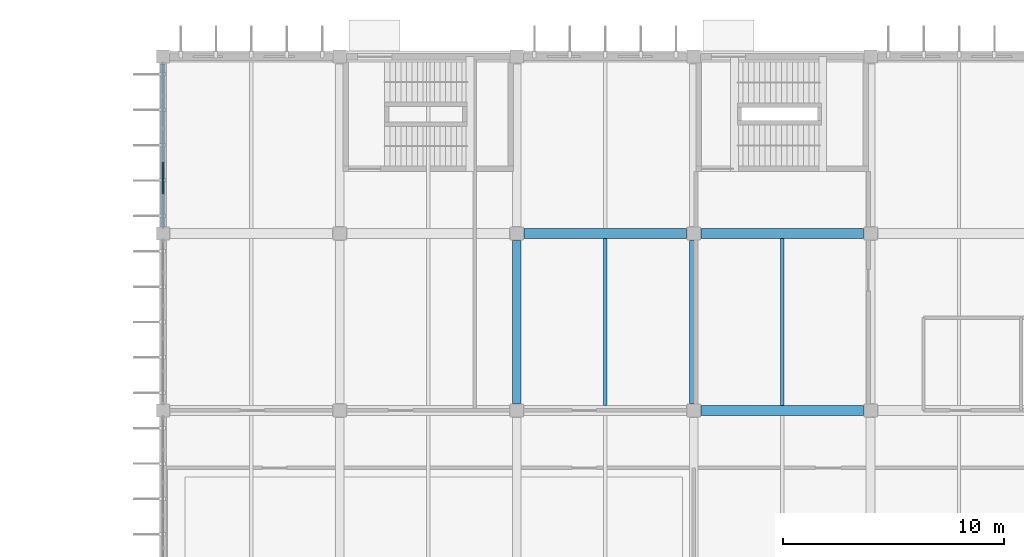
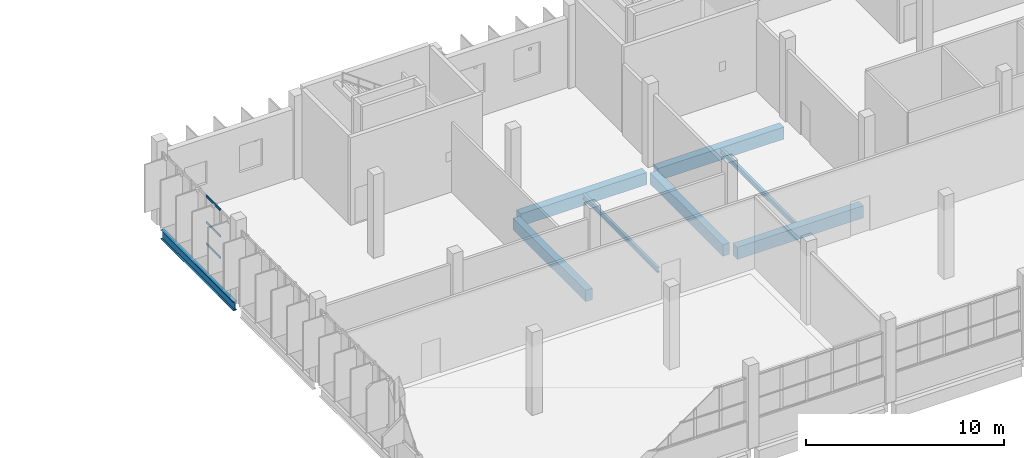
# One storey, part 38 of 103: 8 beams, 3 members, 1 element without a shape of its own.
"""IFC4 building model written with IfcOpenShell, lengths in metres."""

from ifc_helpers import new_model, si_unit, direction, frame, origin, origin_2d, place, context, subcontext, project, spatial, rectangle, i_section, extrude, material, layer, layer_set, material_profile, profile_set, type_object, element, aggregate, save


model = new_model("IFC4")

# Units and contexts
model_context = context("Model", 3, precision=1e-05, world=origin(), true_north=direction((0.0, 1.0)))
body_context = subcontext(model_context, "Body", "Model", "MODEL_VIEW")
ifc_project = project(units=[si_unit("LENGTHUNIT", "METRE"), si_unit("AREAUNIT", "SQUARE_METRE"), si_unit("VOLUMEUNIT", "CUBIC_METRE"), si_unit("PLANEANGLEUNIT", "RADIAN"), si_unit("MASSUNIT", "GRAM", prefix="KILO")], contexts=[model_context])

# Site, building, storey
site_placement = place(None, origin())
site = spatial("IfcSite", under=ifc_project, at=site_placement, CompositionType="ELEMENT")
building_placement = place(site_placement, origin())
building = spatial("IfcBuilding", under=site, at=building_placement, Name="Drelvana Railside Aquatics Centre", CompositionType="ELEMENT")
storey_placement = place(building_placement, origin())
storey = spatial("IfcBuildingStorey", under=building, at=storey_placement, Name="L00", CompositionType="ELEMENT", Elevation=0.0)

# Curtain wall, members
ifc_material_1 = material(Name="Bronze-anodised aluminium curtain wall", Category="aluminium")
ifc_layer = layer(ifc_material_1, 0.1650390625, Name="Bronze-anodised aluminium curtain wall")
ifc_layer_set = layer_set([ifc_layer], Name="Bronze-anodised aluminium curtain wall")
curtain_wall_type = type_object("IfcCurtainWallType", Name="CW-Z5-COURT", PredefinedType="NOTDEFINED", material=ifc_layer_set)
curtain_wall_placement = place(storey_placement, origin())
curtain_wall = element("IfcCurtainWall", 1, at=curtain_wall_placement, inside=storey, type_object=curtain_wall_type, Name="Curtain wall CW-05-133", PredefinedType="NOTDEFINED")
ifc_material_2 = material(Name="Bronze-anodised aluminium 6063-T6", Category="aluminium")
ifc_material_profile_1 = material_profile(ifc_material_2, rectangle(XDim=0.1201171875, YDim=0.06005859375, at=origin_2d()), Name="ALU-T 60x120")
ifc_profile_set_1 = profile_set([ifc_material_profile_1], Name="Bronze-anodised aluminium 6063-T6")
member_type = type_object("IfcMemberType", Name="CW-Z5-COURT-TRN", PredefinedType="USERDEFINED", material=ifc_profile_set_1)
member_1_placement = place(storey_placement, frame((96.0, 109.801513671875, 1.47412109375), z_axis=(0.0, 1.0, 0.0), x_axis=(0.0, 0.0, 1.0)))
member_1 = element("IfcMember", 2, at=member_1_placement, type_object=member_type, Name="CW-05 transom 2.1", ObjectType="TRANSOM", PredefinedType="USERDEFINED", context=body_context, shape_type="SweptSolid", body=[
    extrude(rectangle(XDim=0.1201171875, YDim=0.06005859375, at=origin_2d()), origin(), (0.0, 0.0, 1.0), 1.432373046875),
])
member_2_placement = place(storey_placement, frame((96.0, 109.801513671875, 2.797119140625), z_axis=(0.0, 1.0, 0.0), x_axis=(0.0, 0.0, 1.0)))
member_2 = element("IfcMember", 3, at=member_2_placement, type_object=member_type, Name="CW-05 transom 2.2", ObjectType="TRANSOM", PredefinedType="USERDEFINED", context=body_context, shape_type="SweptSolid", body=[
    extrude(rectangle(XDim=0.1201171875, YDim=0.06005859375, at=origin_2d()), origin(), (0.0, 0.0, 1.0), 1.432373046875),
])
member_3_placement = place(storey_placement, frame((96.0, 109.801513671875, 4.419921875), z_axis=(0.0, 1.0, 0.0), x_axis=(0.0, 0.0, 1.0)))
member_3 = element("IfcMember", 4, at=member_3_placement, type_object=member_type, Name="CW-05 transom 2.3", ObjectType="TRANSOM", PredefinedType="USERDEFINED", context=body_context, shape_type="SweptSolid", body=[
    extrude(rectangle(XDim=0.1201171875, YDim=0.06005859375, at=origin_2d()), origin(), (0.0, 0.0, 1.0), 1.432373046875),
])
aggregate(curtain_wall, [member_1, member_2, member_3])

# Beams
ifc_material_3 = material(Name="Concrete C40/50", Category="concrete")
ifc_material_profile_2 = material_profile(ifc_material_3, rectangle(XDim=0.39990234375, YDim=0.699951171875, at=origin_2d()), Name="RC 400x700")
ifc_profile_set_2 = profile_set([ifc_material_profile_2], Name="Concrete C40/50")
beam_type_1 = type_object("IfcBeamType", Name="STR-BM-BM-03-RC-400x700", PredefinedType="BEAM", material=ifc_profile_set_2)
for number, where, z_axis, x_axis, name in (
    (5, (112.0, 100.324951171875, -0.679931640625), (0.0, 1.0, 0.0), (-1.0, 0.0, 0.0), "Girder BM-03 (L00)"),
    (6, (120.0, 100.324951171875, -0.679931640625), (0.0, 1.0, 0.0), (-1.0, 0.0, 0.0), "Girder BM-03 (L00)"),
):
    element("IfcBeam", number, at=place(storey_placement, frame(where, z_axis=z_axis, x_axis=x_axis)), inside=storey, type_object=beam_type_1, Name=name, PredefinedType="BEAM", context=body_context, shape_type="SweptSolid", body=[
        extrude(rectangle(XDim=0.39990234375, YDim=0.699951171875, at=origin_2d()), origin(), (0.0, 0.0, 1.0), 7.35009765625),
    ])
ifc_material_profile_3 = material_profile(ifc_material_3, rectangle(XDim=0.449951171875, YDim=0.75, at=origin_2d()), Name="RC 450x750")
ifc_profile_set_3 = profile_set([ifc_material_profile_3], Name="Concrete C40/50")
beam_type_2 = type_object("IfcBeamType", Name="STR-BM-BM-04-RC-450x750", PredefinedType="BEAM", material=ifc_profile_set_3)
for number, where, z_axis, x_axis, name in (
    (7, (120.324951171875, 100.0, -0.705078125), (1.0, 0.0, 0.0), (0.0, 1.0, 0.0), "Girder BM-04 (L00)"),
    (8, (112.324951171875, 108.0, -0.705078125), (1.0, 0.0, 0.0), (0.0, 1.0, 0.0), "Girder BM-04 (L00)"),
    (9, (120.324951171875, 108.0, -0.705078125), (1.0, 0.0, 0.0), (0.0, 1.0, 0.0), "Girder BM-04 (L00)"),
):
    element("IfcBeam", number, at=place(storey_placement, frame(where, z_axis=z_axis, x_axis=x_axis)), inside=storey, type_object=beam_type_2, Name=name, PredefinedType="BEAM", context=body_context, shape_type="SweptSolid", body=[
        extrude(rectangle(XDim=0.449951171875, YDim=0.75, at=origin_2d()), origin(), (0.0, 0.0, 1.0), 7.35009765625),
    ])
ifc_material_4 = material(Name="Structural steel S355", Category="steel")
ifc_material_profile_4 = material_profile(ifc_material_4, i_section(OverallWidth=0.2099609375, OverallDepth=0.550048828125, WebThickness=0.010986328125, FlangeThickness=0.01708984375, at=origin_2d()), Name="IPE 550")
ifc_profile_set_4 = profile_set([ifc_material_profile_4], Name="Structural steel S355")
beam_type_3 = type_object("IfcBeamType", Name="STR-SBM-SB-04-IPE-550", PredefinedType="SPANDREL", material=ifc_profile_set_4)
beam_placement = place(storey_placement, frame((96.0, 108.324951171875, -0.60498046875), z_axis=(0.0, 1.0, 0.0), x_axis=(-1.0, 0.0, 0.0)))
element("IfcBeam", 10, at=beam_placement, inside=storey, type_object=beam_type_3, Name="Girder SB-04 (L00)", PredefinedType="SPANDREL", context=body_context, shape_type="SweptSolid", body=[
    extrude(i_section(OverallWidth=0.2099609375, OverallDepth=0.550048828125, WebThickness=0.010986328125, FlangeThickness=0.01708984375, at=origin_2d()), origin(), (0.0, 0.0, 1.0), 7.35009765625),
])
ifc_material_profile_5 = material_profile(ifc_material_4, i_section(OverallWidth=0.14990234375, OverallDepth=0.300048828125, WebThickness=0.007080078125, FlangeThickness=0.0107421875, at=origin_2d()), Name="IPE 300")
ifc_profile_set_5 = profile_set([ifc_material_profile_5], Name="Structural steel S355")
beam_type_4 = type_object("IfcBeamType", Name="STR-SBM-SJ-03-IPE-300", PredefinedType="JOIST", material=ifc_profile_set_5)
for number, where, z_axis, x_axis, name in (
    (11, (116.0, 100.22509765625, -0.47998046875), (0.0, 1.0, 0.0), (-1.0, 0.0, 0.0), "Secondary floor joist SJ-03 (L00)"),
    (12, (124.0, 100.22509765625, -0.47998046875), (0.0, 1.0, 0.0), (-1.0, 0.0, 0.0), "Secondary floor joist SJ-03 (L00)"),
):
    element("IfcBeam", number, at=place(storey_placement, frame(where, z_axis=z_axis, x_axis=x_axis)), inside=storey, type_object=beam_type_4, Name=name, PredefinedType="JOIST", context=body_context, shape_type="SweptSolid", body=[
        extrude(i_section(OverallWidth=0.14990234375, OverallDepth=0.300048828125, WebThickness=0.007080078125, FlangeThickness=0.0107421875, at=origin_2d()), origin(), (0.0, 0.0, 1.0), 7.5498046875),
    ])

save(model, "model.ifc")
